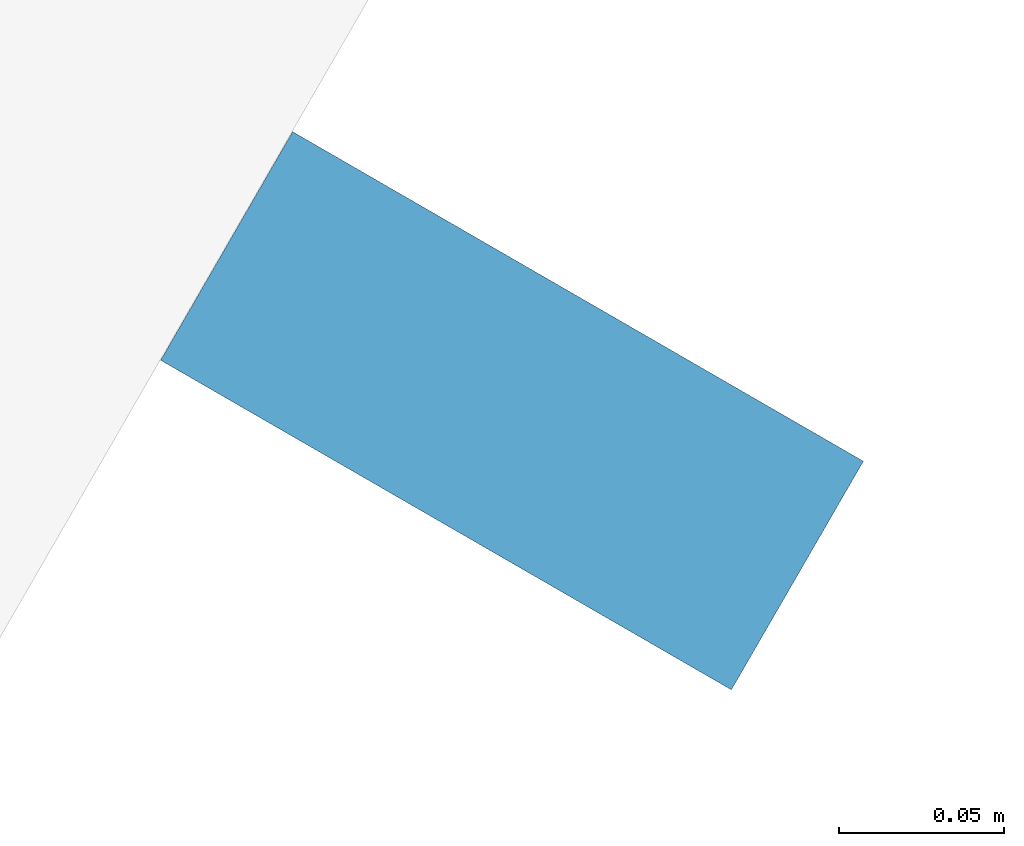
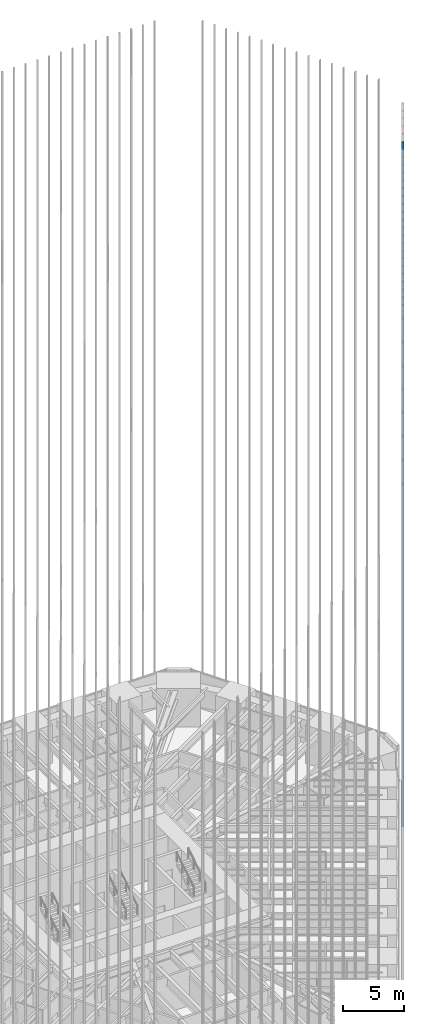
# One storey, part 127 of 256: 1 member, 1 element without a shape of its own.
"""IFC4 building model written with IfcOpenShell, lengths in metres."""

from ifc_helpers import new_model, si_unit, direction, frame, origin, origin_2d, place, context, subcontext, project, spatial, rectangle, extrude, material, material_profile, profile_set, type_object, element, aggregate, save


model = new_model("IFC4")

# Units and contexts
model_context = context("Model", 3, precision=1e-05, world=origin(), true_north=direction((0.0, 1.0)))
body_context = subcontext(model_context, "Body", "Model", "MODEL_VIEW")
ifc_project = project(units=[si_unit("LENGTHUNIT", "METRE"), si_unit("AREAUNIT", "SQUARE_METRE"), si_unit("VOLUMEUNIT", "CUBIC_METRE"), si_unit("PLANEANGLEUNIT", "RADIAN"), si_unit("MASSUNIT", "GRAM", prefix="KILO")], contexts=[model_context])

# Site, building, storey
site_placement = place(None, origin())
site = spatial("IfcSite", under=ifc_project, at=site_placement, CompositionType="ELEMENT")
building_placement = place(site_placement, origin())
building = spatial("IfcBuilding", under=site, at=building_placement, Name="Sandreach Pilgrim Tower", CompositionType="ELEMENT")
storey_placement = place(building_placement, frame((0.0, 0.0, 23.0)))
storey = spatial("IfcBuildingStorey", under=building, at=storey_placement, Name="L04", CompositionType="ELEMENT", Elevation=23.0)

# Curtain wall, member
ifc_material_1 = material(Name="Aluminium framed curtain wall", Category="aluminium")
curtain_wall_type = type_object("IfcCurtainWallType", Name="Hostel tower curtain wall", PredefinedType="NOTDEFINED", material=ifc_material_1)
curtain_wall_placement = place(storey_placement, origin())
curtain_wall = element("IfcCurtainWall", 1, at=curtain_wall_placement, inside=storey, type_object=curtain_wall_type, Name="CW-1 L04 SE", PredefinedType="NOTDEFINED")
ifc_material_2 = material(Name="Extruded terracotta on aluminium core", Category="masonry")
ifc_material_profile = material_profile(ifc_material_2, rectangle(XDim=0.080078125, YDim=0.199951171875, at=origin_2d()), Name="TBE 80X200")
ifc_profile_set = profile_set([ifc_material_profile], Name="Extruded terracotta on aluminium core")
member_type = type_object("IfcMemberType", Name="Terracotta baguette east", PredefinedType="USERDEFINED", material=ifc_profile_set)
member_placement = place(storey_placement, frame((27.720947265625, -0.683349609375, 0.0), z_axis=(0.0, 0.0, 1.0), x_axis=(-0.5, -0.866025403784, 0.0)))
member = element("IfcMember", 2, at=member_placement, type_object=member_type, Name="Baguette Z1 SE06", ObjectType="BAGUETTE", PredefinedType="USERDEFINED", context=body_context, shape_type="SweptSolid", body=[
    extrude(rectangle(XDim=0.080078125, YDim=0.199951171875, at=origin_2d()), origin(), (0.0, 0.0, 1.0), 68.239990234375),
])
aggregate(curtain_wall, [member])

save(model, "model.ifc")
